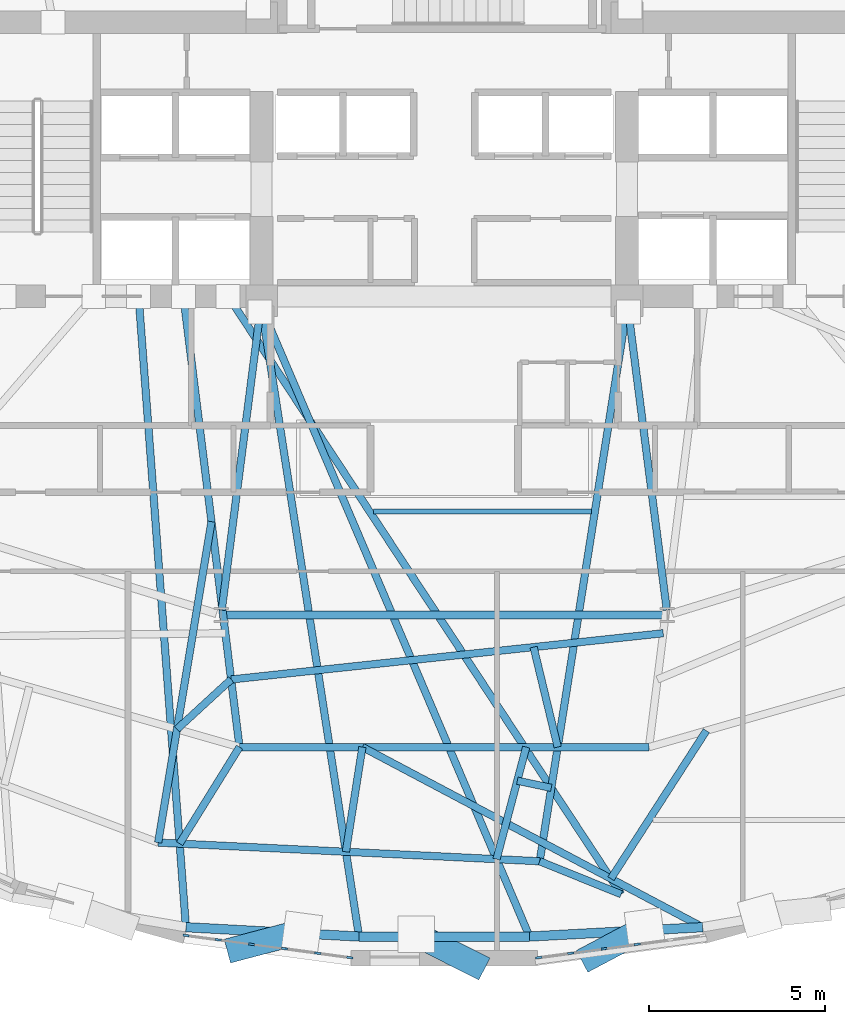
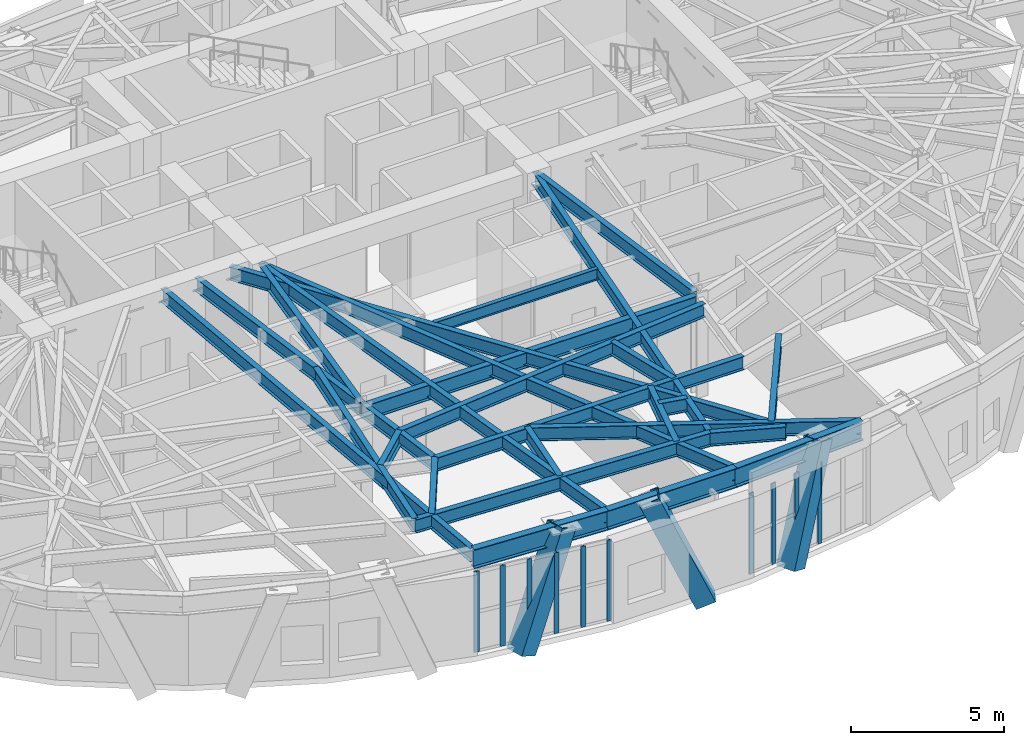
# One storey, part 2 of 16: 26 beams, 13 members, 2 elements without a shape of their own.
"""IFC4 building model written with IfcOpenShell, lengths in metres."""

from ifc_helpers import new_model, si_unit, direction, frame, origin, origin_2d, place, context, subcontext, project, spatial, rectangle, hollow_rectangle, i_section, extrude, material, layer, layer_set, material_profile, profile_set, type_object, element, aggregate, save


model = new_model("IFC4")

# Units and contexts
model_context = context("Model", 3, precision=1e-05, world=origin(), true_north=direction((0.0, 1.0)))
body_context = subcontext(model_context, "Body", "Model", "MODEL_VIEW")
ifc_project = project(units=[si_unit("LENGTHUNIT", "METRE"), si_unit("AREAUNIT", "SQUARE_METRE"), si_unit("VOLUMEUNIT", "CUBIC_METRE"), si_unit("PLANEANGLEUNIT", "RADIAN"), si_unit("MASSUNIT", "GRAM", prefix="KILO")], contexts=[model_context])

# Site, building, storey
site_placement = place(None, origin())
site = spatial("IfcSite", under=ifc_project, at=site_placement, CompositionType="ELEMENT")
building_placement = place(site_placement, origin())
building = spatial("IfcBuilding", under=site, at=building_placement, Name="Keldmark Tower", CompositionType="ELEMENT")
storey_placement = place(building_placement, frame((0.0, 0.0, 139.60009765625)))
storey = spatial("IfcBuildingStorey", under=building, at=storey_placement, Name="L37", CompositionType="ELEMENT", Elevation=139.60009765625)

# Beam
ifc_material_1 = material(Name="Steel ASTM A992 Grade 50", Category="steel")
ifc_material_profile_1 = material_profile(ifc_material_1, i_section(OverallWidth=0.153076171875, OverallDepth=0.455078125, WebThickness=0.008056640625, FlangeThickness=0.01318359375, at=origin_2d()), Name="W18X40")
ifc_profile_set_1 = profile_set([ifc_material_profile_1], Name="Steel ASTM A992 Grade 50")
beam_type_1 = type_object("IfcBeamType", Name="Composite Floor Joist W18X40", PredefinedType="JOIST", material=ifc_profile_set_1)
beam_1_placement = place(storey_placement, frame((-2.008544921875, -4.60009765625, 3.79248046875), z_axis=(1.0, 0.0, 0.0), x_axis=(0.0, 1.0, 0.0)))
element("IfcBeam", 1, at=beam_1_placement, inside=storey, type_object=beam_type_1, Name="L37 Composite Floor Joist J05", PredefinedType="JOIST", context=body_context, shape_type="SweptSolid", body=[
    extrude(i_section(OverallWidth=0.153076171875, OverallDepth=0.455078125, WebThickness=0.008056640625, FlangeThickness=0.01318359375, at=origin_2d()), origin(), (0.0, 0.0, 1.0), 6.196533203125),
])

# Curtain wall, members
ifc_material_2 = material(Name="Unitized Thermally Broken Aluminum and Triple Low-E Glazing", Category="aluminium")
ifc_layer = layer(ifc_material_2, 0.219970703125)
ifc_layer_set = layer_set([ifc_layer], Name="Unitized Thermally Broken Aluminum and Triple Low-E Glazing")
curtain_wall_type = type_object("IfcCurtainWallType", Name="Sky Lobby Amenity Curtain Wall System", PredefinedType="NOTDEFINED", material=ifc_layer_set)
curtain_wall_1_placement = place(storey_placement, origin())
curtain_wall_1 = element("IfcCurtainWall", 2, at=curtain_wall_1_placement, inside=storey, type_object=curtain_wall_type, Name="L37 Sky Lobby Amenity Curtain Wall System CW-L37-23", PredefinedType="NOTDEFINED")
ifc_material_3 = material(Name="Extruded Aluminum Alloy 6063-T6", Category="aluminium")
ifc_material_profile_2 = material_profile(ifc_material_3, rectangle(XDim=0.06005859375, YDim=0.179931640625, at=origin_2d()), Name="CWM60X180")
ifc_profile_set_2 = profile_set([ifc_material_profile_2], Name="Extruded Aluminum Alloy 6063-T6")
member_type_1 = type_object("IfcMemberType", Name="Curtain Wall Structural Mullion 60x180", PredefinedType="MULLION", material=ifc_profile_set_2)
member_1_placement = place(storey_placement, frame((-2.6875, -17.29443359375, 0.0), z_axis=(0.0, 0.0, 1.0), x_axis=(-0.133597552172, -0.991035667397, 0.0)))
member_1 = element("IfcMember", 3, at=member_1_placement, type_object=member_type_1, Name="CW mullion 1", PredefinedType="MULLION", context=body_context, shape_type="SweptSolid", body=[
    extrude(rectangle(XDim=0.06005859375, YDim=0.179931640625, at=origin_2d()), origin(), (0.0, 0.0, 1.0), 3.23779296875),
])
member_2_placement = place(storey_placement, frame((-3.60205078125, -17.171142578125, 0.0), z_axis=(0.0, 0.0, 1.0), x_axis=(-0.133597552172, -0.991035667397, 0.0)))
member_2 = element("IfcMember", 4, at=member_2_placement, type_object=member_type_1, Name="CW mullion 2", PredefinedType="MULLION", context=body_context, shape_type="SweptSolid", body=[
    extrude(rectangle(XDim=0.06005859375, YDim=0.179931640625, at=origin_2d()), origin(), (0.0, 0.0, 1.0), 3.23779296875),
])
member_3_placement = place(storey_placement, frame((-4.54638671875, -17.0439453125, 0.0), z_axis=(0.0, 0.0, 1.0), x_axis=(-0.133597552172, -0.991035667397, 0.0)))
member_3 = element("IfcMember", 5, at=member_3_placement, type_object=member_type_1, Name="CW mullion 3", PredefinedType="MULLION", context=body_context, shape_type="SweptSolid", body=[
    extrude(rectangle(XDim=0.06005859375, YDim=0.179931640625, at=origin_2d()), origin(), (0.0, 0.0, 1.0), 3.23779296875),
])
member_4_placement = place(storey_placement, frame((-5.49072265625, -16.91650390625, 0.0), z_axis=(0.0, 0.0, 1.0), x_axis=(-0.133597552172, -0.991035667397, 0.0)))
member_4 = element("IfcMember", 6, at=member_4_placement, type_object=member_type_1, Name="CW mullion 4", PredefinedType="MULLION", context=body_context, shape_type="SweptSolid", body=[
    extrude(rectangle(XDim=0.06005859375, YDim=0.179931640625, at=origin_2d()), origin(), (0.0, 0.0, 1.0), 3.23779296875),
])
member_5_placement = place(storey_placement, frame((-6.43505859375, -16.789306640625, 0.0), z_axis=(0.0, 0.0, 1.0), x_axis=(-0.133597552172, -0.991035667397, 0.0)))
member_5 = element("IfcMember", 7, at=member_5_placement, type_object=member_type_1, Name="CW mullion 5", PredefinedType="MULLION", context=body_context, shape_type="SweptSolid", body=[
    extrude(rectangle(XDim=0.06005859375, YDim=0.179931640625, at=origin_2d()), origin(), (0.0, 0.0, 1.0), 3.23779296875),
])
member_6_placement = place(storey_placement, frame((-7.349609375, -16.666015625, 0.0), z_axis=(0.0, 0.0, 1.0), x_axis=(-0.133597552172, -0.991035667397, 0.0)))
member_6 = element("IfcMember", 8, at=member_6_placement, type_object=member_type_1, Name="CW mullion 6", PredefinedType="MULLION", context=body_context, shape_type="SweptSolid", body=[
    extrude(rectangle(XDim=0.06005859375, YDim=0.179931640625, at=origin_2d()), origin(), (0.0, 0.0, 1.0), 3.23779296875),
])
aggregate(curtain_wall_1, [member_1, member_2, member_3, member_4, member_5, member_6])

curtain_wall_2_placement = place(storey_placement, origin())
curtain_wall_2 = element("IfcCurtainWall", 9, at=curtain_wall_2_placement, inside=storey, type_object=curtain_wall_type, Name="L37 Sky Lobby Amenity Curtain Wall System CW-L37-25", PredefinedType="NOTDEFINED")
member_7_placement = place(storey_placement, frame((5.49072265625, -16.91650390625, 0.0), z_axis=(0.0, 0.0, 1.0), x_axis=(0.133597552172, -0.991035667397, 0.0)))
member_7 = element("IfcMember", 10, at=member_7_placement, type_object=member_type_1, Name="CW mullion 3", PredefinedType="MULLION", context=body_context, shape_type="SweptSolid", body=[
    extrude(rectangle(XDim=0.06005859375, YDim=0.179931640625, at=origin_2d()), origin(), (0.0, 0.0, 1.0), 3.23779296875),
])
member_8_placement = place(storey_placement, frame((4.54638671875, -17.0439453125, 0.0), z_axis=(0.0, 0.0, 1.0), x_axis=(0.133597552172, -0.991035667397, 0.0)))
member_8 = element("IfcMember", 11, at=member_8_placement, type_object=member_type_1, Name="CW mullion 4", PredefinedType="MULLION", context=body_context, shape_type="SweptSolid", body=[
    extrude(rectangle(XDim=0.06005859375, YDim=0.179931640625, at=origin_2d()), origin(), (0.0, 0.0, 1.0), 3.23779296875),
])
member_9_placement = place(storey_placement, frame((3.60205078125, -17.171142578125, 0.0), z_axis=(0.0, 0.0, 1.0), x_axis=(0.133597552172, -0.991035667397, 0.0)))
member_9 = element("IfcMember", 12, at=member_9_placement, type_object=member_type_1, Name="CW mullion 5", PredefinedType="MULLION", context=body_context, shape_type="SweptSolid", body=[
    extrude(rectangle(XDim=0.06005859375, YDim=0.179931640625, at=origin_2d()), origin(), (0.0, 0.0, 1.0), 3.23779296875),
])
member_10_placement = place(storey_placement, frame((2.6875, -17.29443359375, 0.0), z_axis=(0.0, 0.0, 1.0), x_axis=(0.133597552172, -0.991035667397, 0.0)))
member_10 = element("IfcMember", 13, at=member_10_placement, type_object=member_type_1, Name="CW mullion 6", PredefinedType="MULLION", context=body_context, shape_type="SweptSolid", body=[
    extrude(rectangle(XDim=0.06005859375, YDim=0.179931640625, at=origin_2d()), origin(), (0.0, 0.0, 1.0), 3.23779296875),
])
aggregate(curtain_wall_2, [member_7, member_8, member_9, member_10])

# Members
ifc_material_4 = material(Name="Steel ASTM A572 Grade 50", Category="steel")
ifc_material_profile_3 = material_profile(ifc_material_4, hollow_rectangle(XDim=0.699951171875, YDim=0.699951171875, WallThickness=0.044921875, at=origin_2d()), Name="BOX700X700X45")
ifc_profile_set_3 = profile_set([ifc_material_profile_3], Name="Steel ASTM A572 Grade 50")
member_type_2 = type_object("IfcMemberType", Name="Diagrid Zone 2 Brace BOX700X700X45", PredefinedType="BRACE", material=ifc_profile_set_3)
member_11_placement = place(storey_placement, frame((-5.86376953125, -17.028564453125, -0.300048828125), z_axis=(0.39416768539, 0.104088719506, 0.913125059489), x_axis=(-0.255319935222, 0.966856623641, 0.0)))
element("IfcMember", 14, at=member_11_placement, inside=storey, type_object=member_type_2, Name="L37 Perimeter Diagrid Brace 12A", PredefinedType="BRACE", context=body_context, shape_type="SweptSolid", body=[
    extrude(hollow_rectangle(XDim=0.699951171875, YDim=0.699951171875, WallThickness=0.044921875, at=origin_2d()), origin(), (0.0, 0.0, 1.0), 4.599609375),
])
member_12_placement = place(storey_placement, frame((0.85546875, -17.4755859375, -0.300048828125), z_axis=(-0.361041116295, 0.182806301375, 0.914456761428), x_axis=(-0.451726466793, -0.892156488066, 0.0)))
element("IfcMember", 15, at=member_12_placement, inside=storey, type_object=member_type_2, Name="L37 Perimeter Diagrid Brace 12B", PredefinedType="BRACE", context=body_context, shape_type="SweptSolid", body=[
    extrude(hollow_rectangle(XDim=0.699951171875, YDim=0.699951171875, WallThickness=0.044921875, at=origin_2d()), origin(), (0.0, 0.0, 1.0), 4.5927734375),
])
member_13_placement = place(storey_placement, frame((4.208740234375, -17.2509765625, -0.300048828125), z_axis=(0.330342400182, 0.17490301064, 0.927514331701), x_axis=(-0.467920856752, 0.883770372787, 0.0)))
element("IfcMember", 16, at=member_13_placement, inside=storey, type_object=member_type_2, Name="L37 Perimeter Diagrid Brace 13A", PredefinedType="BRACE", context=body_context, shape_type="SweptSolid", body=[
    extrude(hollow_rectangle(XDim=0.699951171875, YDim=0.699951171875, WallThickness=0.044921875, at=origin_2d()), origin(), (0.0, 0.0, 1.0), 4.528076171875),
])

# Beams
ifc_material_5 = material(Name="Steel ASTM A992 Grade 50", Category="steel")
ifc_material_profile_4 = material_profile(ifc_material_5, i_section(OverallWidth=0.22900390625, OverallDepth=0.612060546875, WebThickness=0.011962890625, FlangeThickness=0.01953125, at=origin_2d()), Name="W24X84")
ifc_profile_set_4 = profile_set([ifc_material_profile_4], Name="Steel ASTM A992 Grade 50")
beam_type_2 = type_object("IfcBeamType", Name="Primary Floor Girder W24X84", PredefinedType="BEAM", material=ifc_profile_set_4)
beam_2_placement = place(storey_placement, frame((-6.211181640625, -7.546142578125, 3.7138671875), z_axis=(1.0, 0.0, 0.0), x_axis=(0.0, 1.0, 0.0)))
element("IfcBeam", 17, at=beam_2_placement, inside=storey, type_object=beam_type_2, Name="L37 Floor Ring Girder FG-R09", PredefinedType="BEAM", context=body_context, shape_type="SweptSolid", body=[
    extrude(i_section(OverallWidth=0.22900390625, OverallDepth=0.612060546875, WebThickness=0.011962890625, FlangeThickness=0.01953125, at=origin_2d()), origin(), (0.0, 0.0, 1.0), 12.42236328125),
])
ifc_material_6 = material(Name="Steel ASTM A992 Grade 50", Category="steel")
ifc_material_profile_5 = material_profile(ifc_material_6, i_section(OverallWidth=0.2099609375, OverallDepth=0.537109375, WebThickness=0.010986328125, FlangeThickness=0.017333984375, at=origin_2d()), Name="W21X68")
ifc_profile_set_5 = profile_set([ifc_material_profile_5], Name="Steel ASTM A992 Grade 50")
beam_type_3 = type_object("IfcBeamType", Name="Radial Tie Girder W21X68", PredefinedType="BEAM", material=ifc_profile_set_5)
for number, where, z_axis, x_axis, name in (
    (18, (-6.333251953125, -7.4072265625, 3.75146484375), (0.127635577416, 0.991821132754, 0.0), (-0.991821132754, 0.127635577416, 0.0), "L37 Floor Radial Girder FG-C09"),
    (19, (6.333251953125, -7.4072265625, 3.75146484375), (-0.127635577416, 0.991821132754, 0.0), (-0.991821132754, -0.127635577416, 0.0), "L37 Floor Radial Girder FG-C10"),
):
    element("IfcBeam", number, at=place(storey_placement, frame(where, z_axis=z_axis, x_axis=x_axis)), inside=storey, type_object=beam_type_3, Name=name, PredefinedType="BEAM", context=body_context, shape_type="SweptSolid", body=[
        extrude(i_section(OverallWidth=0.2099609375, OverallDepth=0.537109375, WebThickness=0.010986328125, FlangeThickness=0.017333984375, at=origin_2d()), origin(), (0.0, 0.0, 1.0), 8.559814453125),
    ])
beam_3_placement = place(storey_placement, frame((-7.425048828125, 1.52490234375, 3.75146484375), z_axis=(0.123602401319, -0.992331822723, 0.0), x_axis=(0.992331822723, 0.123602401319, 0.0)))
element("IfcBeam", 20, at=beam_3_placement, inside=storey, type_object=beam_type_3, Name="L37 Sub-Ring Step Girder STP1-M09", PredefinedType="BEAM", context=body_context, shape_type="SweptSolid", body=[
    extrude(i_section(OverallWidth=0.2099609375, OverallDepth=0.537109375, WebThickness=0.010986328125, FlangeThickness=0.017333984375, at=origin_2d()), origin(), (0.0, 0.0, 1.0), 12.927734375),
])
beam_4_placement = place(storey_placement, frame((-6.06689453125, -9.37939453125, 3.75146484375), z_axis=(0.994325645958, 0.106379085308, 0.0), x_axis=(-0.106379085308, 0.994325645958, 0.0)))
element("IfcBeam", 21, at=beam_4_placement, inside=storey, type_object=beam_type_3, Name="L37 Framing Pin Header PH-006", PredefinedType="BEAM", context=body_context, shape_type="SweptSolid", body=[
    extrude(i_section(OverallWidth=0.2099609375, OverallDepth=0.537109375, WebThickness=0.010986328125, FlangeThickness=0.017333984375, at=origin_2d()), origin(), (0.0, 0.0, 1.0), 12.36767578125),
])
beam_5_placement = place(storey_placement, frame((-5.8271484375, -11.3037109375, 3.75146484375), z_axis=(1.0, 0.0, 0.0), x_axis=(0.0, 1.0, 0.0)))
element("IfcBeam", 22, at=beam_5_placement, inside=storey, type_object=beam_type_3, Name="L37 Perimeter Collector Ring Beam CRG1-M09", PredefinedType="BEAM", context=body_context, shape_type="SweptSolid", body=[
    extrude(i_section(OverallWidth=0.2099609375, OverallDepth=0.537109375, WebThickness=0.010986328125, FlangeThickness=0.017333984375, at=origin_2d()), origin(), (0.0, 0.0, 1.0), 11.654296875),
])
beam_6_placement = place(storey_placement, frame((-6.06689453125, -9.37939453125, 3.75146484375), z_axis=(-0.736242647625, -0.676717639653, 0.0), x_axis=(0.676717639653, -0.736242647625, 0.0)))
element("IfcBeam", 23, at=beam_6_placement, inside=storey, type_object=beam_type_3, Name="L37 Framing Pin Header PH-011", PredefinedType="BEAM", context=body_context, shape_type="SweptSolid", body=[
    extrude(i_section(OverallWidth=0.2099609375, OverallDepth=0.537109375, WebThickness=0.010986328125, FlangeThickness=0.017333984375, at=origin_2d()), origin(), (0.0, 0.0, 1.0), 2.091796875),
])
beam_7_placement = place(storey_placement, frame((-6.626220703125, -4.889404296875, 3.75146484375), z_axis=(-0.163825892534, -0.986489268535, 0.0), x_axis=(0.986489268535, -0.163825892534, 0.0)))
element("IfcBeam", 24, at=beam_7_placement, inside=storey, type_object=beam_type_3, Name="L37 Sub-Ring Step Girder STP2-M09", PredefinedType="BEAM", context=body_context, shape_type="SweptSolid", body=[
    extrude(i_section(OverallWidth=0.2099609375, OverallDepth=0.537109375, WebThickness=0.010986328125, FlangeThickness=0.017333984375, at=origin_2d()), origin(), (0.0, 0.0, 1.0), 9.25732421875),
])
beam_8_placement = place(storey_placement, frame((2.54150390625, -8.45849609375, 3.75146484375), z_axis=(0.234637815186, -0.972082864619, 0.0), x_axis=(0.972082864619, 0.234637815186, 0.0)))
element("IfcBeam", 25, at=beam_8_placement, inside=storey, type_object=beam_type_3, Name="L37 Framing Pin Header PH-012", PredefinedType="BEAM", context=body_context, shape_type="SweptSolid", body=[
    extrude(i_section(OverallWidth=0.2099609375, OverallDepth=0.537109375, WebThickness=0.010986328125, FlangeThickness=0.017333984375, at=origin_2d()), origin(), (0.0, 0.0, 1.0), 2.927001953125),
])
beam_9_placement = place(storey_placement, frame((5.199951171875, 1.199951171875, 3.75146484375), z_axis=(-0.155761328957, -0.987794719768, 0.0), x_axis=(0.987794719768, -0.155761328957, 0.0)))
element("IfcBeam", 26, at=beam_9_placement, inside=storey, type_object=beam_type_3, Name="L37 Sub-Ring Step Girder STP2-M10", PredefinedType="BEAM", context=body_context, shape_type="SweptSolid", body=[
    extrude(i_section(OverallWidth=0.2099609375, OverallDepth=0.537109375, WebThickness=0.010986328125, FlangeThickness=0.017333984375, at=origin_2d()), origin(), (0.0, 0.0, 1.0), 15.9482421875),
])
beam_10_placement = place(storey_placement, frame((-8.142822265625, -14.021728515625, 3.75146484375), z_axis=(0.998802066905, -0.048932924968, 0.0), x_axis=(0.048932924968, 0.998802066905, 0.0)))
element("IfcBeam", 27, at=beam_10_placement, inside=storey, type_object=beam_type_3, Name="L37 Perimeter Collector Ring Beam CRG2-M09", PredefinedType="BEAM", context=body_context, shape_type="SweptSolid", body=[
    extrude(i_section(OverallWidth=0.2099609375, OverallDepth=0.537109375, WebThickness=0.010986328125, FlangeThickness=0.017333984375, at=origin_2d()), origin(), (0.0, 0.0, 1.0), 10.87158203125),
])
beam_11_placement = place(storey_placement, frame((-5.8271484375, -11.3037109375, 3.75146484375), z_axis=(-0.527009476078, -0.849859407269, 0.0), x_axis=(0.849859407269, -0.527009476078, 0.0)))
element("IfcBeam", 28, at=beam_11_placement, inside=storey, type_object=beam_type_3, Name="L37 Framing Pin Header PH-029", PredefinedType="BEAM", context=body_context, shape_type="SweptSolid", body=[
    extrude(i_section(OverallWidth=0.2099609375, OverallDepth=0.537109375, WebThickness=0.010986328125, FlangeThickness=0.017333984375, at=origin_2d()), origin(), (0.0, 0.0, 1.0), 3.233642578125),
])
beam_12_placement = place(storey_placement, frame((-8.699951171875, 1.52490234375, 3.75146484375), z_axis=(0.074820623234, -0.99719700879, 0.0), x_axis=(0.99719700879, 0.074820623234, 0.0)))
element("IfcBeam", 29, at=beam_12_placement, inside=storey, type_object=beam_type_3, Name="L37 Perimeter Radial Tie Girder RT-23", PredefinedType="BEAM", context=body_context, shape_type="SweptSolid", body=[
    extrude(i_section(OverallWidth=0.2099609375, OverallDepth=0.537109375, WebThickness=0.010986328125, FlangeThickness=0.017333984375, at=origin_2d()), origin(), (0.0, 0.0, 1.0), 18.00537109375),
])
beam_13_placement = place(storey_placement, frame((-2.330810546875, -11.3037109375, 3.75146484375), z_axis=(-0.155480431464, -0.98783897242, 0.0), x_axis=(0.98783897242, -0.155480431464, 0.0)))
element("IfcBeam", 30, at=beam_13_placement, inside=storey, type_object=beam_type_3, Name="L37 Framing Pin Header PH-030", PredefinedType="BEAM", context=body_context, shape_type="SweptSolid", body=[
    extrude(i_section(OverallWidth=0.2099609375, OverallDepth=0.537109375, WebThickness=0.010986328125, FlangeThickness=0.017333984375, at=origin_2d()), origin(), (0.0, 0.0, 1.0), 3.016357421875),
])
beam_14_placement = place(storey_placement, frame((-5.199951171875, 1.199951171875, 3.75146484375), z_axis=(0.153175496369, -0.988199001878, 0.0), x_axis=(0.988199001878, 0.153175496369, 0.0)))
element("IfcBeam", 31, at=beam_14_placement, inside=storey, type_object=beam_type_3, Name="L37 Perimeter Radial Tie Girder RT-24", PredefinedType="BEAM", context=body_context, shape_type="SweptSolid", body=[
    extrude(i_section(OverallWidth=0.2099609375, OverallDepth=0.537109375, WebThickness=0.010986328125, FlangeThickness=0.017333984375, at=origin_2d()), origin(), (0.0, 0.0, 1.0), 18.109375),
])
beam_15_placement = place(storey_placement, frame((2.330810546875, -11.3037109375, 3.75146484375), z_axis=(-0.25558949644, -0.966785399822, 0.0), x_axis=(0.966785399822, -0.25558949644, 0.0)))
element("IfcBeam", 32, at=beam_15_placement, inside=storey, type_object=beam_type_3, Name="L37 Framing Pin Header PH-031", PredefinedType="BEAM", context=body_context, shape_type="SweptSolid", body=[
    extrude(i_section(OverallWidth=0.2099609375, OverallDepth=0.537109375, WebThickness=0.010986328125, FlangeThickness=0.017333984375, at=origin_2d()), origin(), (0.0, 0.0, 1.0), 3.29931640625),
])
beam_16_placement = place(storey_placement, frame((-5.199951171875, 1.199951171875, 3.75146484375), z_axis=(0.392023570961, -0.919955172718, 0.0), x_axis=(0.919955172718, 0.392023570961, 0.0)))
element("IfcBeam", 33, at=beam_16_placement, inside=storey, type_object=beam_type_3, Name="L37 Perimeter Radial Tie Girder RT-25", PredefinedType="BEAM", context=body_context, shape_type="SweptSolid", body=[
    extrude(i_section(OverallWidth=0.2099609375, OverallDepth=0.537109375, WebThickness=0.010986328125, FlangeThickness=0.017333984375, at=origin_2d()), origin(), (0.0, 0.0, 1.0), 19.452880859375),
])
beam_17_placement = place(storey_placement, frame((2.077880859375, -12.260498046875, 3.75146484375), z_axis=(0.978344894114, -0.206981323218, 0.0), x_axis=(0.206981323218, 0.978344894114, 0.0)))
element("IfcBeam", 34, at=beam_17_placement, inside=storey, type_object=beam_type_3, Name="L37 Framing Pin Header PH-032", PredefinedType="BEAM", context=body_context, shape_type="SweptSolid", body=[
    extrude(i_section(OverallWidth=0.2099609375, OverallDepth=0.537109375, WebThickness=0.010986328125, FlangeThickness=0.017333984375, at=origin_2d()), origin(), (0.0, 0.0, 1.0), 0.988525390625),
])
beam_18_placement = place(storey_placement, frame((-6.14990234375, 1.52490234375, 3.75146484375), z_axis=(0.549237695903, -0.835666173421, 0.0), x_axis=(0.835666173421, 0.549237695903, 0.0)))
element("IfcBeam", 35, at=beam_18_placement, inside=storey, type_object=beam_type_3, Name="L37 Intermediate Radial Step Girder RT-26M", PredefinedType="BEAM", context=body_context, shape_type="SweptSolid", body=[
    extrude(i_section(OverallWidth=0.2099609375, OverallDepth=0.537109375, WebThickness=0.010986328125, FlangeThickness=0.017333984375, at=origin_2d()), origin(), (0.0, 0.0, 1.0), 20.363037109375),
])
beam_19_placement = place(storey_placement, frame((2.7158203125, -14.5537109375, 3.75146484375), z_axis=(0.927001771124, -0.375056950786, 0.0), x_axis=(0.375056950786, 0.927001771124, 0.0)))
element("IfcBeam", 36, at=beam_19_placement, inside=storey, type_object=beam_type_3, Name="L37 Local Collector Chord RT-26C", PredefinedType="BEAM", context=body_context, shape_type="SweptSolid", body=[
    extrude(i_section(OverallWidth=0.2099609375, OverallDepth=0.537109375, WebThickness=0.010986328125, FlangeThickness=0.017333984375, at=origin_2d()), origin(), (0.0, 0.0, 1.0), 2.5009765625),
])
beam_20_placement = place(storey_placement, frame((7.45849609375, -10.83740234375, 3.75146484375), z_axis=(-0.541963716329, -0.840401886113, 0.0), x_axis=(0.840401886113, -0.541963716329, 0.0)))
element("IfcBeam", 37, at=beam_20_placement, inside=storey, type_object=beam_type_3, Name="L37 Framing Pin Header PH-033", PredefinedType="BEAM", context=body_context, shape_type="SweptSolid", body=[
    extrude(i_section(OverallWidth=0.2099609375, OverallDepth=0.537109375, WebThickness=0.010986328125, FlangeThickness=0.017333984375, at=origin_2d()), origin(), (0.0, 0.0, 1.0), 5.0107421875),
])
beam_21_placement = place(storey_placement, frame((-2.330810546875, -11.3037109375, 3.75146484375), z_axis=(0.883802549923, -0.467860078175, 0.0), x_axis=(0.467860078175, 0.883802549923, 0.0)))
element("IfcBeam", 38, at=beam_21_placement, inside=storey, type_object=beam_type_3, Name="L37 Perimeter Radial Tie Girder RT-26", PredefinedType="BEAM", context=body_context, shape_type="SweptSolid", body=[
    extrude(i_section(OverallWidth=0.2099609375, OverallDepth=0.537109375, WebThickness=0.010986328125, FlangeThickness=0.017333984375, at=origin_2d()), origin(), (0.0, 0.0, 1.0), 10.956787109375),
])
ifc_material_7 = material(Name="Steel ASTM A992 Grade 50", Category="steel")
ifc_material_profile_6 = material_profile(ifc_material_7, i_section(OverallWidth=0.26806640625, OverallDepth=0.77001953125, WebThickness=0.015625, FlangeThickness=0.025390625, at=origin_2d()), Name="W30X132")
ifc_profile_set_6 = profile_set([ifc_material_profile_6], Name="Steel ASTM A992 Grade 50")
beam_type_4 = type_object("IfcBeamType", Name="Spandrel Ring Beam W30X132", PredefinedType="SPANDREL", material=ifc_profile_set_6)
beam_22_placement = place(storey_placement, frame((-7.352783203125, -16.429931640625, 3.635009765625), z_axis=(0.998547098553, -0.05388591627, 0.0), x_axis=(0.05388591627, 0.998547098553, 0.0)))
element("IfcBeam", 39, at=beam_22_placement, inside=storey, type_object=beam_type_4, Name="L37 Perimeter Spandrel Ring Beam SRB-23", PredefinedType="SPANDREL", context=body_context, shape_type="SweptSolid", body=[
    extrude(i_section(OverallWidth=0.26806640625, OverallDepth=0.77001953125, WebThickness=0.015625, FlangeThickness=0.025390625, at=origin_2d()), origin(), (0.0, 0.0, 1.0), 4.933837890625),
])
beam_23_placement = place(storey_placement, frame((-2.426025390625, -16.69580078125, 3.635009765625), z_axis=(1.0, 0.0, 0.0), x_axis=(0.0, 1.0, 0.0)))
element("IfcBeam", 40, at=beam_23_placement, inside=storey, type_object=beam_type_4, Name="L37 Perimeter Spandrel Ring Beam SRB-24", PredefinedType="SPANDREL", context=body_context, shape_type="SweptSolid", body=[
    extrude(i_section(OverallWidth=0.26806640625, OverallDepth=0.77001953125, WebThickness=0.015625, FlangeThickness=0.025390625, at=origin_2d()), origin(), (0.0, 0.0, 1.0), 4.85205078125),
])
beam_24_placement = place(storey_placement, frame((2.426025390625, -16.69580078125, 3.635009765625), z_axis=(0.998547098553, 0.05388591627, 0.0), x_axis=(-0.05388591627, 0.998547098553, 0.0)))
element("IfcBeam", 41, at=beam_24_placement, inside=storey, type_object=beam_type_4, Name="L37 Perimeter Spandrel Ring Beam SRB-25", PredefinedType="SPANDREL", context=body_context, shape_type="SweptSolid", body=[
    extrude(i_section(OverallWidth=0.26806640625, OverallDepth=0.77001953125, WebThickness=0.015625, FlangeThickness=0.025390625, at=origin_2d()), origin(), (0.0, 0.0, 1.0), 4.933837890625),
])

save(model, "model.ifc")
